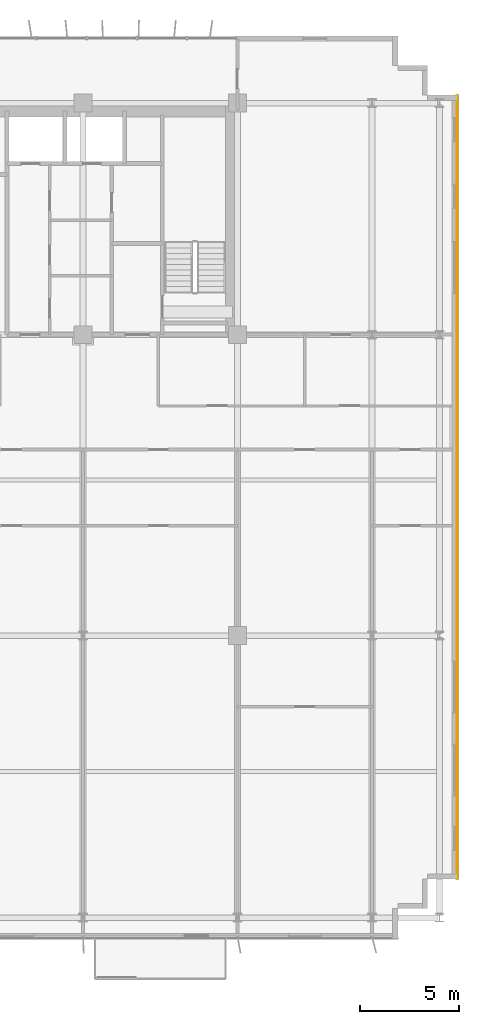
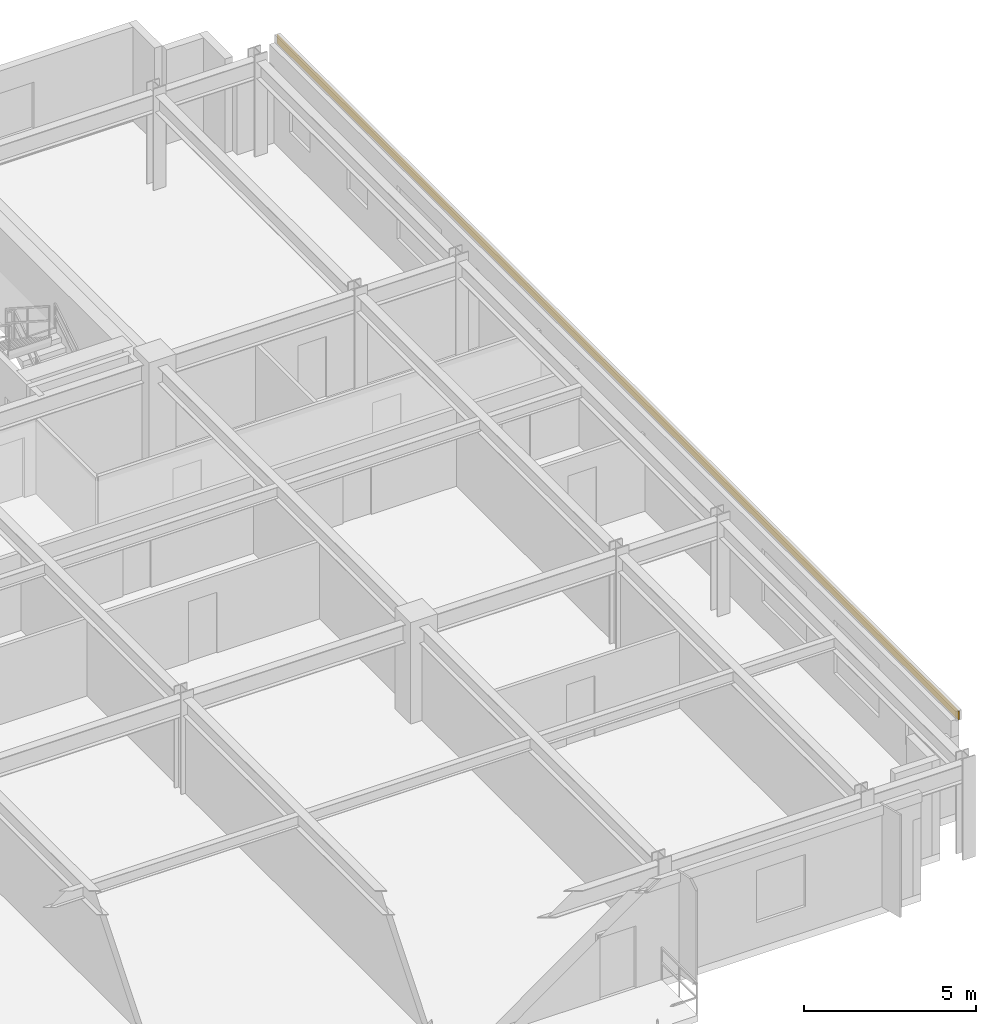
# One storey, part 21 of 21: 1 covering.
"""IFC4 building model written with IfcOpenShell, lengths in metres."""

from ifc_helpers import new_model, si_unit, direction, frame, origin, origin_2d, place, context, subcontext, project, spatial, rectangle, extrude, source, transform, mapped, material, layer, layer_set, type_object, element, save


model = new_model("IFC4")

# Units and contexts
model_context = context("Model", 3, precision=1e-05, world=origin(), true_north=direction((0.0, 1.0)))
body_context = subcontext(model_context, "Body", "Model", "MODEL_VIEW")
ifc_project = project(units=[si_unit("LENGTHUNIT", "METRE"), si_unit("AREAUNIT", "SQUARE_METRE"), si_unit("VOLUMEUNIT", "CUBIC_METRE"), si_unit("PLANEANGLEUNIT", "RADIAN"), si_unit("MASSUNIT", "GRAM", prefix="KILO")], contexts=[model_context])

# Site, building, storey
site_placement = place(None, origin())
site = spatial("IfcSite", under=ifc_project, at=site_placement, CompositionType="ELEMENT")
building_placement = place(site_placement, origin())
building = spatial("IfcBuilding", under=site, at=building_placement, Name="Trelvane Seafront Commons", CompositionType="ELEMENT")
storey_placement = place(building_placement, frame((0.0, 0.0, 34.300048828125)))
storey = spatial("IfcBuildingStorey", under=building, at=storey_placement, Name="L08", CompositionType="ELEMENT", Elevation=34.300048828125)

# Covering
ifc_material = material(Name="Anodised pale-silver aluminium", Category="aluminium")
ifc_layer = layer(ifc_material, 0.034912109375, Name="ARCH-COV-CLAD35")
ifc_layer_set = layer_set([ifc_layer], Name="Anodised pale-silver aluminium")
covering_type = type_object("IfcCoveringType", Name="ARCH-COV-CLAD35", PredefinedType="CLADDING", material=ifc_layer_set)
shared_shape = source(origin(), body_context, "Body", "SweptSolid", [
    extrude(rectangle(XDim=39.60009765625, YDim=0.034912109375, at=origin_2d()), origin(), (0.0, 0.0, 1.0), 0.300048828125),
])
covering_placement = place(storey_placement, frame((69.89990234375, 25.699951171875, 3.2998046875), z_axis=(0.0, 0.0, 1.0), x_axis=(0.0, -1.0, 0.0)))
element("IfcCovering", 1, at=covering_placement, inside=storey, type_object=covering_type, Name="CLD-L08-00049", PredefinedType="CLADDING", context=body_context, shape_type="MappedRepresentation", body=[
    mapped(shared_shape, transform((0.0, 0.0, 0.0), x_axis=(1.0, 0.0, 0.0), y_axis=(0.0, 1.0, 0.0), z_axis=(0.0, 0.0, 1.0), scale=1.0)),
])

save(model, "model.ifc")
